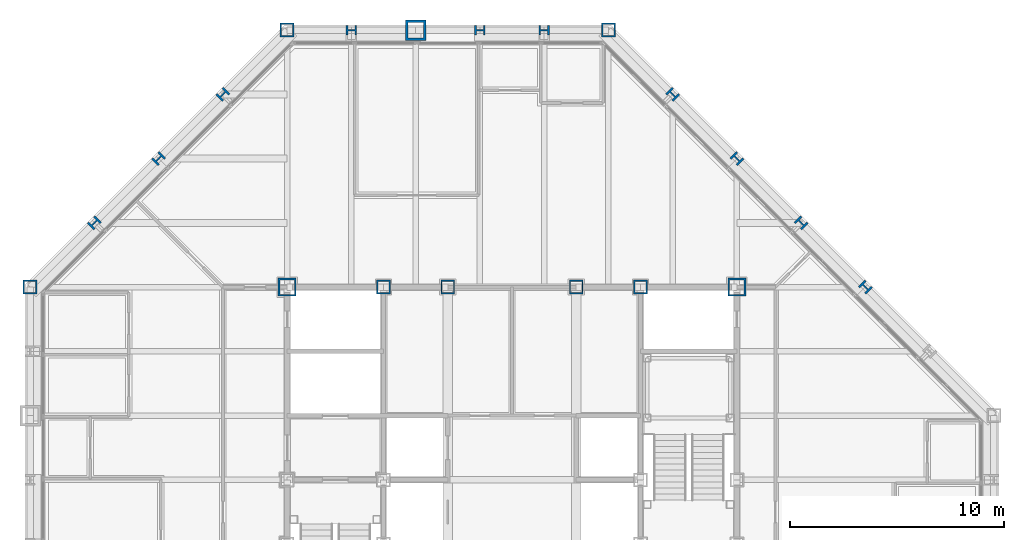
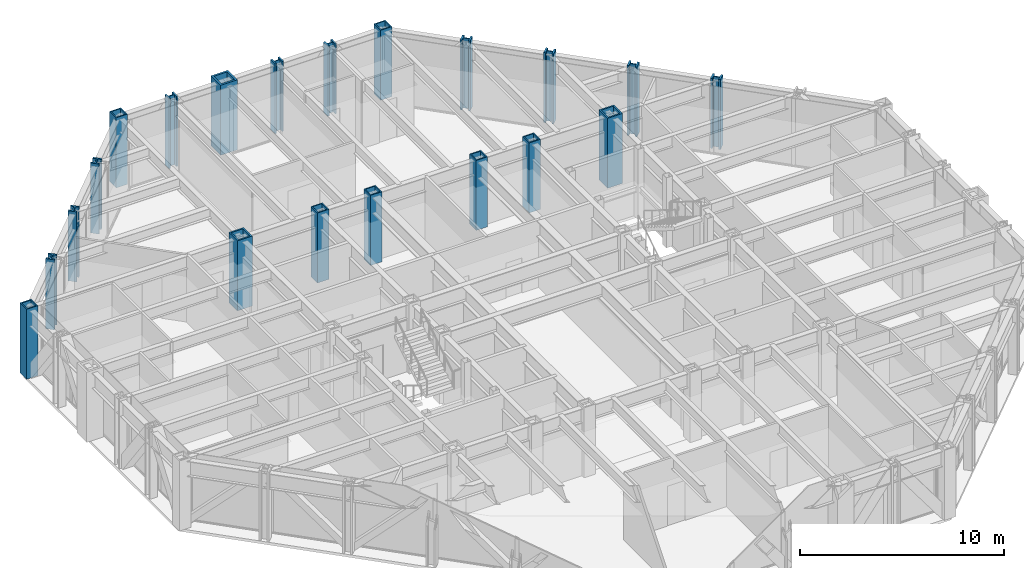
# One storey, part 4 of 16: 20 columns.
"""IFC4 building model written with IfcOpenShell, lengths in metres."""

from ifc_helpers import new_model, si_unit, direction, frame, origin, origin_2d, place, context, subcontext, project, spatial, hollow_rectangle, i_section, extrude, material, material_profile, profile_set, type_object, element, save


model = new_model("IFC4")

# Units and contexts
model_context = context("Model", 3, precision=1e-05, world=origin(), true_north=direction((0.0, 1.0)))
body_context = subcontext(model_context, "Body", "Model", "MODEL_VIEW")
ifc_project = project(units=[si_unit("LENGTHUNIT", "METRE"), si_unit("AREAUNIT", "SQUARE_METRE"), si_unit("VOLUMEUNIT", "CUBIC_METRE"), si_unit("PLANEANGLEUNIT", "RADIAN"), si_unit("MASSUNIT", "GRAM", prefix="KILO")], contexts=[model_context])

# Site, building, storey
site_placement = place(None, origin())
site = spatial("IfcSite", under=ifc_project, at=site_placement, CompositionType="ELEMENT")
building_placement = place(site_placement, origin())
building = spatial("IfcBuilding", under=site, at=building_placement, Name="Chuquiago Exchange Tower", CompositionType="ELEMENT")
storey_placement = place(building_placement, frame((0.0, 0.0, 209.699951171875)))
storey = spatial("IfcBuildingStorey", under=building, at=storey_placement, Name="L46", CompositionType="ELEMENT", Elevation=209.699951171875)

# Columns
ifc_material_1 = material(Name="Steel ASTM A992", Category="steel")
ifc_material_profile_1 = material_profile(ifc_material_1, i_section(OverallWidth=0.431884765625, OverallDepth=0.497802734375, WebThickness=0.0556640625, FlangeThickness=0.0888671875, at=origin_2d()), Name="W14X500")
ifc_profile_set_1 = profile_set([ifc_material_profile_1], Name="Steel ASTM A992")
column_type_1 = type_object("IfcColumnType", Name="C4 W14X500", PredefinedType="COLUMN", material=ifc_profile_set_1)
for number, where, z_axis, x_axis, name in (
    (1, (24.0, 45.0, 0.0), (0.0, 0.0, 1.0), (0.0, 1.0, 0.0), "COL-L46-24_45"),
    (2, (21.0, 45.0, 0.0), (0.0, 0.0, 1.0), (0.0, 1.0, 0.0), "COL-L46-21_45"),
    (3, (15.0, 45.0, 0.0), (0.0, 0.0, 1.0), (0.0, 1.0, 0.0), "COL-L46-15_45"),
):
    element("IfcColumn", number, at=place(storey_placement, frame(where, z_axis=z_axis, x_axis=x_axis)), inside=storey, type_object=column_type_1, Name=name, PredefinedType="COLUMN", context=body_context, shape_type="SweptSolid", body=[
        extrude(i_section(OverallWidth=0.431884765625, OverallDepth=0.497802734375, WebThickness=0.0556640625, FlangeThickness=0.0888671875, at=origin_2d()), origin(), (0.0, 0.0, 1.0), 4.199951171875),
    ])
ifc_material_2 = material(Name="Steel ASTM A572 Grade 50", Category="steel")
ifc_material_profile_2 = material_profile(ifc_material_2, hollow_rectangle(XDim=0.64990234375, YDim=0.64990234375, WallThickness=0.06494140625, at=origin_2d()), Name="BOX650X650X65")
ifc_profile_set_2 = profile_set([ifc_material_profile_2], Name="Steel ASTM A572 Grade 50")
column_type_2 = type_object("IfcColumnType", Name="CC4 BOX650X650X65", PredefinedType="COLUMN", material=ifc_profile_set_2)
for number, where, z_axis, x_axis, name in (
    (4, (16.5, 33.0, 0.0), (0.0, 0.0, 1.0), (1.0, 0.0, 0.0), "CCOL-L46-16.5_33"),
    (5, (19.5, 33.0, 0.0), (0.0, 0.0, 1.0), (1.0, 0.0, 0.0), "CCOL-L46-19.5_33"),
    (6, (25.5, 33.0, 0.0), (0.0, 0.0, 1.0), (1.0, 0.0, 0.0), "CCOL-L46-25.5_33"),
    (7, (28.5, 33.0, 0.0), (0.0, 0.0, 1.0), (1.0, 0.0, 0.0), "CCOL-L46-28.5_33"),
):
    element("IfcColumn", number, at=place(storey_placement, frame(where, z_axis=z_axis, x_axis=x_axis)), inside=storey, type_object=column_type_2, Name=name, PredefinedType="COLUMN", context=body_context, shape_type="SweptSolid", body=[
        extrude(hollow_rectangle(XDim=0.64990234375, YDim=0.64990234375, WallThickness=0.06494140625, at=origin_2d()), origin(), (0.0, 0.0, 1.0), 4.199951171875),
    ])
ifc_material_3 = material(Name="Steel ASTM A572 Grade 50", Category="steel")
ifc_material_profile_3 = material_profile(ifc_material_3, hollow_rectangle(XDim=0.85009765625, YDim=0.85009765625, WallThickness=0.0849609375, at=origin_2d()), Name="BOX850X850X85")
ifc_profile_set_3 = profile_set([ifc_material_profile_3], Name="Steel ASTM A572 Grade 50")
column_type_3 = type_object("IfcColumnType", Name="CC6 BOX850X850X85", PredefinedType="COLUMN", material=ifc_profile_set_3)
for number, where, z_axis, x_axis, name in (
    (8, (12.0, 33.0, 0.0), (0.0, 0.0, 1.0), (1.0, 0.0, 0.0), "CCOL-L46-12_33"),
    (9, (33.0, 33.0, 0.0), (0.0, 0.0, 1.0), (1.0, 0.0, 0.0), "CCOL-L46-33_33"),
):
    element("IfcColumn", number, at=place(storey_placement, frame(where, z_axis=z_axis, x_axis=x_axis)), inside=storey, type_object=column_type_3, Name=name, PredefinedType="COLUMN", context=body_context, shape_type="SweptSolid", body=[
        extrude(hollow_rectangle(XDim=0.85009765625, YDim=0.85009765625, WallThickness=0.0849609375, at=origin_2d()), origin(), (0.0, 0.0, 1.0), 4.199951171875),
    ])
ifc_material_4 = material(Name="Steel ASTM A992", Category="steel")
ifc_material_profile_4 = material_profile(ifc_material_4, i_section(OverallWidth=0.436767578125, OverallDepth=0.51318359375, WebThickness=0.060546875, FlangeThickness=0.096923828125, at=origin_2d()), Name="W14X550")
ifc_profile_set_4 = profile_set([ifc_material_profile_4], Name="Steel ASTM A992")
column_type_4 = type_object("IfcColumnType", Name="CK4 W14X550", PredefinedType="COLUMN", material=ifc_profile_set_4)
for number, where, z_axis, x_axis, name in (
    (10, (39.0, 33.0, 0.0), (0.0, 0.0, 1.0), (0.707106781187, 0.707106781187, 0.0), "COL-L46-39_33"),
    (11, (36.0, 36.0, 0.0), (0.0, 0.0, 1.0), (0.707106781187, 0.707106781187, 0.0), "COL-L46-36_36"),
    (12, (33.0, 39.0, 0.0), (0.0, 0.0, 1.0), (0.707106781187, 0.707106781187, 0.0), "COL-L46-33_39"),
    (13, (30.0, 42.0, 0.0), (0.0, 0.0, 1.0), (0.707106781187, 0.707106781187, 0.0), "COL-L46-30_42"),
    (14, (9.0, 42.0, 0.0), (0.0, 0.0, 1.0), (-0.707106781187, 0.707106781187, 0.0), "COL-L46-9_42"),
    (15, (6.0, 39.0, 0.0), (0.0, 0.0, 1.0), (-0.707106781187, 0.707106781187, 0.0), "COL-L46-6_39"),
    (16, (3.0, 36.0, 0.0), (0.0, 0.0, 1.0), (-0.707106781187, 0.707106781187, 0.0), "COL-L46-3_36"),
):
    element("IfcColumn", number, at=place(storey_placement, frame(where, z_axis=z_axis, x_axis=x_axis)), inside=storey, type_object=column_type_4, Name=name, PredefinedType="COLUMN", context=body_context, shape_type="SweptSolid", body=[
        extrude(i_section(OverallWidth=0.436767578125, OverallDepth=0.51318359375, WebThickness=0.060546875, FlangeThickness=0.096923828125, at=origin_2d()), origin(), (0.0, 0.0, 1.0), 4.199951171875),
    ])
ifc_material_5 = material(Name="Steel ASTM A572 Grade 50", Category="steel")
ifc_material_profile_5 = material_profile(ifc_material_5, hollow_rectangle(XDim=0.64990234375, YDim=0.64990234375, WallThickness=0.06494140625, at=origin_2d()), Name="BOX650X650X65")
ifc_profile_set_5 = profile_set([ifc_material_profile_5], Name="Steel ASTM A572 Grade 50")
column_type_5 = type_object("IfcColumnType", Name="CN2 BOX650X650X65", PredefinedType="COLUMN", material=ifc_profile_set_5)
for number, where, z_axis, x_axis, name in (
    (17, (27.0, 45.0, 0.0), (0.0, 0.0, 1.0), (0.0, 1.0, 0.0), "COL-L46-27_45"),
    (18, (12.0, 45.0, 0.0), (0.0, 0.0, 1.0), (0.0, 1.0, 0.0), "COL-L46-12_45"),
    (19, (0.0, 33.0, 0.0), (0.0, 0.0, 1.0), (-1.0, 0.0, 0.0), "COL-L46-0_33"),
):
    element("IfcColumn", number, at=place(storey_placement, frame(where, z_axis=z_axis, x_axis=x_axis)), inside=storey, type_object=column_type_5, Name=name, PredefinedType="COLUMN", context=body_context, shape_type="SweptSolid", body=[
        extrude(hollow_rectangle(XDim=0.64990234375, YDim=0.64990234375, WallThickness=0.06494140625, at=origin_2d()), origin(), (0.0, 0.0, 1.0), 4.199951171875),
    ])
ifc_material_6 = material(Name="Steel ASTM A572 Grade 42", Category="steel")
ifc_material_profile_6 = material_profile(ifc_material_6, hollow_rectangle(XDim=0.949951171875, YDim=0.949951171875, WallThickness=0.110107421875, at=origin_2d()), Name="BOX950X950X110")
ifc_profile_set_6 = profile_set([ifc_material_profile_6], Name="Steel ASTM A572 Grade 42")
column_type_6 = type_object("IfcColumnType", Name="CT1 BOX950X950X110", PredefinedType="COLUMN", material=ifc_profile_set_6)
column_placement = place(storey_placement, frame((18.0, 45.0, 0.0), z_axis=(0.0, 0.0, 1.0), x_axis=(0.0, 1.0, 0.0)))
element("IfcColumn", 20, at=column_placement, inside=storey, type_object=column_type_6, Name="COL-L46-18_45", PredefinedType="COLUMN", context=body_context, shape_type="SweptSolid", body=[
    extrude(hollow_rectangle(XDim=0.949951171875, YDim=0.949951171875, WallThickness=0.110107421875, at=origin_2d()), origin(), (0.0, 0.0, 1.0), 4.199951171875),
])

save(model, "model.ifc")
